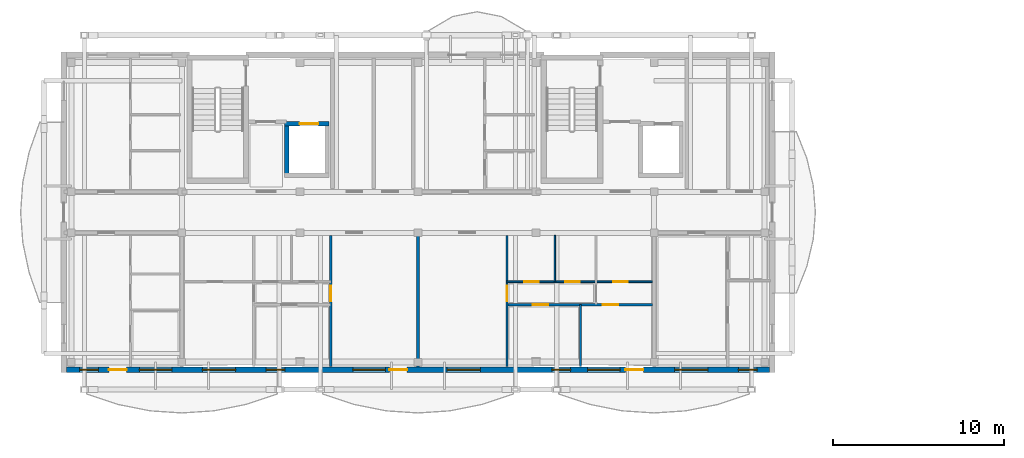
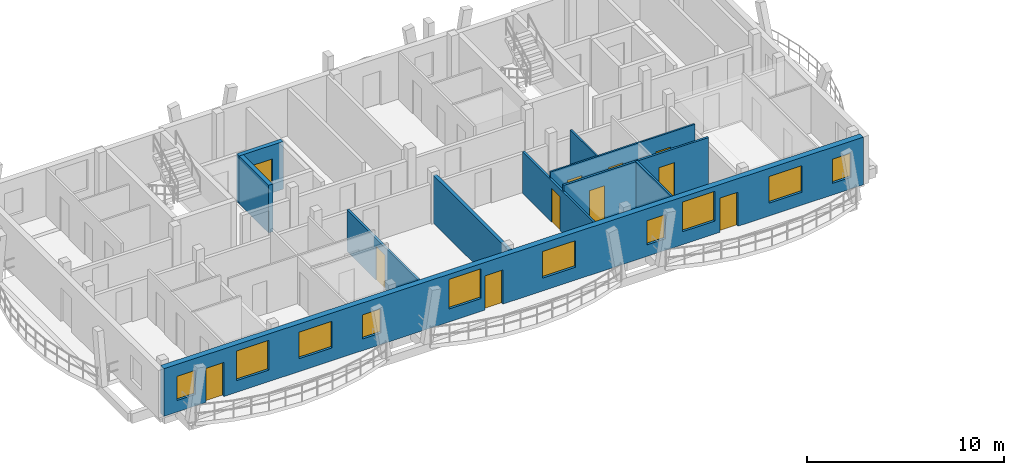
# One storey, part 11 of 29: 11 doors, 10 walls, 10 windows, 21 openings.
"""IFC4 building model written with IfcOpenShell, lengths in metres."""

from ifc_helpers import new_model, si_unit, direction, frame, frame_2d, origin, origin_with_axes, place, context, subcontext, project, spatial, rectangle, extrude, material, layer, layer_set, type_object, element, fill, save


model = new_model("IFC4")

# Units and contexts
model_context = context("Model", 3, precision=1e-05, world=origin(), true_north=direction((0.0, 1.0)))
body_context = subcontext(model_context, "Body", "Model", "MODEL_VIEW")
ifc_project = project(units=[si_unit("LENGTHUNIT", "METRE"), si_unit("AREAUNIT", "SQUARE_METRE"), si_unit("VOLUMEUNIT", "CUBIC_METRE"), si_unit("PLANEANGLEUNIT", "RADIAN"), si_unit("MASSUNIT", "GRAM", prefix="KILO")], contexts=[model_context])

# Site, building, storey
site_placement = place(None, origin())
site = spatial("IfcSite", under=ifc_project, at=site_placement, CompositionType="ELEMENT")
building_placement = place(site_placement, origin())
building = spatial("IfcBuilding", under=site, at=building_placement, Name="Zavelmont Quarter", CompositionType="ELEMENT")
storey_placement = place(building_placement, frame((0.0, 0.0, 33.60009765625)))
storey = spatial("IfcBuildingStorey", under=building, at=storey_placement, Name="L10", CompositionType="ELEMENT", Elevation=33.60009765625)

# Wall, openings, doors, windows
ifc_material_1 = material(Name="Natural Belgian limestone", Category="masonry")
ifc_layer_1 = layer(ifc_material_1, 0.340087890625)
ifc_layer_set_1 = layer_set([ifc_layer_1], Name="Natural Belgian limestone")
wall_type_1 = type_object("IfcWallType", Name="EW03", PredefinedType="STANDARD", material=ifc_layer_set_1)
wall_1_placement = place(storey_placement, frame((0.159912109375, 0.0, 0.0), z_axis=(0.0, 0.0, 1.0), x_axis=(1.0, 0.0, 0.0)))
wall_1 = element("IfcWall", 1, at=wall_1_placement, inside=storey, type_object=wall_type_1, Name="L10 exterior limestone wall EW03", PredefinedType="STANDARD", context=body_context, shape_type="SweptSolid", body=[
    extrude(rectangle(XDim=41.080078125, YDim=0.340087890625, at=frame_2d((20.5400390625, 0.0))), origin(), (0.0, 0.0, 1.0), 2.9599609375),
])
opening_1_placement = place(wall_1_placement, frame((2.46533203125, 0.0, 0.0)))
opening_1 = element("IfcOpeningElement", 2, at=opening_1_placement, cuts=wall_1, Name="Opening DR04A", PredefinedType="OPENING", context=body_context, shape_type="SweptSolid", body=[
    extrude(rectangle(XDim=1.050048828125, YDim=2.1201171875, at=frame_2d((0.52490234375, 1.06005859375))), frame((0.0, 0.18212890625, 0.0), z_axis=(0.0, -1.0, 0.0), x_axis=(1.0, 0.0, 0.0)), (0.0, 0.0, 1.0), 0.364013671875),
])
opening_2_placement = place(wall_1_placement, frame((18.860107421875, 0.0, 0.0)))
opening_2 = element("IfcOpeningElement", 3, at=opening_2_placement, cuts=wall_1, Name="Opening DR04A", PredefinedType="OPENING", context=body_context, shape_type="SweptSolid", body=[
    extrude(rectangle(XDim=1.050048828125, YDim=2.1201171875, at=frame_2d((0.52490234375, 1.06005859375))), frame((0.0, 0.18212890625, 0.0), z_axis=(0.0, -1.0, 0.0), x_axis=(1.0, 0.0, 0.0)), (0.0, 0.0, 1.0), 0.364013671875),
])
opening_3_placement = place(wall_1_placement, frame((32.659912109375, 0.0, 0.0)))
opening_3 = element("IfcOpeningElement", 4, at=opening_3_placement, cuts=wall_1, Name="Opening DR04A", PredefinedType="OPENING", context=body_context, shape_type="SweptSolid", body=[
    extrude(rectangle(XDim=1.050048828125, YDim=2.1201171875, at=frame_2d((0.52490234375, 1.06005859375))), frame((0.0, 0.18212890625, 0.0), z_axis=(0.0, -1.0, 0.0), x_axis=(1.0, 0.0, 0.0)), (0.0, 0.0, 1.0), 0.364013671875),
])
opening_4_placement = place(wall_1_placement, frame((0.760009765625, 0.0, 0.719970703125)))
opening_4 = element("IfcOpeningElement", 5, at=opening_4_placement, cuts=wall_1, Name="Opening WN09", PredefinedType="OPENING", context=body_context, shape_type="SweptSolid", body=[
    extrude(rectangle(XDim=1.10009765625, YDim=1.5, at=frame_2d((0.550048828125, 0.75))), frame((0.0, 0.18212890625, 0.0), z_axis=(0.0, -1.0, 0.0), x_axis=(1.0, 0.0, 0.0)), (0.0, 0.0, 1.0), 0.364013671875),
])
opening_5_placement = place(wall_1_placement, frame((4.260009765625, 0.0, 0.719970703125)))
opening_5 = element("IfcOpeningElement", 6, at=opening_5_placement, cuts=wall_1, Name="Opening WN20", PredefinedType="OPENING", context=body_context, shape_type="SweptSolid", body=[
    extrude(rectangle(XDim=1.89990234375, YDim=1.85009765625, at=frame_2d((0.949951171875, 0.925048828125))), frame((0.0, 0.18212890625, 0.0), z_axis=(0.0, -1.0, 0.0), x_axis=(1.0, 0.0, 0.0)), (0.0, 0.0, 1.0), 0.364013671875),
])
opening_6_placement = place(wall_1_placement, frame((7.93505859375, 0.0, 0.800048828125)))
opening_6 = element("IfcOpeningElement", 7, at=opening_6_placement, cuts=wall_1, Name="Opening WN24", PredefinedType="OPENING", context=body_context, shape_type="SweptSolid", body=[
    extrude(rectangle(XDim=1.949951171875, YDim=1.64990234375, at=frame_2d((0.97509765625, 0.824951171875))), frame((0.0, 0.18212890625, 0.0), z_axis=(0.0, -1.0, 0.0), x_axis=(1.0, 0.0, 0.0)), (0.0, 0.0, 1.0), 0.364013671875),
])
opening_7_placement = place(wall_1_placement, frame((11.659912109375, 0.0, 0.719970703125)))
opening_7 = element("IfcOpeningElement", 8, at=opening_7_placement, cuts=wall_1, Name="Opening WN09", PredefinedType="OPENING", context=body_context, shape_type="SweptSolid", body=[
    extrude(rectangle(XDim=1.10009765625, YDim=1.5, at=frame_2d((0.550048828125, 0.75))), frame((0.0, 0.18212890625, 0.0), z_axis=(0.0, -1.0, 0.0), x_axis=(1.0, 0.0, 0.0)), (0.0, 0.0, 1.0), 0.364013671875),
])
opening_8_placement = place(wall_1_placement, frame((16.735107421875, 0.0, 0.800048828125)))
opening_8 = element("IfcOpeningElement", 9, at=opening_8_placement, cuts=wall_1, Name="Opening WN20", PredefinedType="OPENING", context=body_context, shape_type="SweptSolid", body=[
    extrude(rectangle(XDim=1.89990234375, YDim=1.85009765625, at=frame_2d((0.949951171875, 0.925048828125))), frame((0.0, 0.18212890625, 0.0), z_axis=(0.0, -1.0, 0.0), x_axis=(1.0, 0.0, 0.0)), (0.0, 0.0, 1.0), 0.364013671875),
])
opening_9_placement = place(wall_1_placement, frame((22.235107421875, 0.0, 0.800048828125)))
opening_9 = element("IfcOpeningElement", 10, at=opening_9_placement, cuts=wall_1, Name="Opening WN24", PredefinedType="OPENING", context=body_context, shape_type="SweptSolid", body=[
    extrude(rectangle(XDim=1.949951171875, YDim=1.64990234375, at=frame_2d((0.97509765625, 0.824951171875))), frame((0.0, 0.18212890625, 0.0), z_axis=(0.0, -1.0, 0.0), x_axis=(1.0, 0.0, 0.0)), (0.0, 0.0, 1.0), 0.364013671875),
])
opening_10_placement = place(wall_1_placement, frame((28.360107421875, 0.0, 0.719970703125)))
opening_10 = element("IfcOpeningElement", 11, at=opening_10_placement, cuts=wall_1, Name="Opening WN09", PredefinedType="OPENING", context=body_context, shape_type="SweptSolid", body=[
    extrude(rectangle(XDim=1.10009765625, YDim=1.5, at=frame_2d((0.550048828125, 0.75))), frame((0.0, 0.18212890625, 0.0), z_axis=(0.0, -1.0, 0.0), x_axis=(1.0, 0.0, 0.0)), (0.0, 0.0, 1.0), 0.364013671875),
])
opening_11_placement = place(wall_1_placement, frame((30.4599609375, 0.0, 0.800048828125)))
opening_11 = element("IfcOpeningElement", 12, at=opening_11_placement, cuts=wall_1, Name="Opening WN20", PredefinedType="OPENING", context=body_context, shape_type="SweptSolid", body=[
    extrude(rectangle(XDim=1.89990234375, YDim=1.85009765625, at=frame_2d((0.949951171875, 0.925048828125))), frame((0.0, 0.18212890625, 0.0), z_axis=(0.0, -1.0, 0.0), x_axis=(1.0, 0.0, 0.0)), (0.0, 0.0, 1.0), 0.364013671875),
])
opening_12_placement = place(wall_1_placement, frame((35.534912109375, 0.0, 0.800048828125)))
opening_12 = element("IfcOpeningElement", 13, at=opening_12_placement, cuts=wall_1, Name="Opening WN24", PredefinedType="OPENING", context=body_context, shape_type="SweptSolid", body=[
    extrude(rectangle(XDim=1.949951171875, YDim=1.64990234375, at=frame_2d((0.97509765625, 0.824951171875))), frame((0.0, 0.18212890625, 0.0), z_axis=(0.0, -1.0, 0.0), x_axis=(1.0, 0.0, 0.0)), (0.0, 0.0, 1.0), 0.364013671875),
])
opening_13_placement = place(wall_1_placement, frame((39.260009765625, 0.0, 0.719970703125)))
opening_13 = element("IfcOpeningElement", 14, at=opening_13_placement, cuts=wall_1, Name="Opening WN09", PredefinedType="OPENING", context=body_context, shape_type="SweptSolid", body=[
    extrude(rectangle(XDim=1.10009765625, YDim=1.5, at=frame_2d((0.550048828125, 0.75))), frame((0.0, 0.18212890625, 0.0), z_axis=(0.0, -1.0, 0.0), x_axis=(1.0, 0.0, 0.0)), (0.0, 0.0, 1.0), 0.364013671875),
])
ifc_material_2 = material(Name="Thermally broken aluminium and double safety glass", Category="aluminium")
door_type_1 = type_object("IfcDoorType", Name="DR04A", OperationType="NOTDEFINED", PredefinedType="DOOR", material=ifc_material_2)
door_1_placement = place(opening_1_placement, origin_with_axes())
door_1 = element("IfcDoor", 15, at=door_1_placement, inside=storey, type_object=door_type_1, Name="Block A L10 glazed balcony door", OperationType="SINGLE_SWING_RIGHT", OverallHeight=2.1201171875, OverallWidth=1.050048828125, PredefinedType="DOOR", context=body_context, shape_type="SweptSolid", body=[
    extrude(rectangle(XDim=1.050048828125, YDim=2.1201171875, at=frame_2d((0.52490234375, 1.06005859375))), frame((0.0, 0.02490234375, 0.0), z_axis=(0.0, -1.0, 0.0), x_axis=(1.0, 0.0, 0.0)), (0.0, 0.0, 1.0), 0.050048828125),
])
fill(opening_1, door_1)
door_2_placement = place(opening_2_placement, origin_with_axes())
door_2 = element("IfcDoor", 16, at=door_2_placement, inside=storey, type_object=door_type_1, Name="Block A L10 glazed balcony door", OperationType="SINGLE_SWING_RIGHT", OverallHeight=2.1201171875, OverallWidth=1.050048828125, PredefinedType="DOOR", context=body_context, shape_type="SweptSolid", body=[
    extrude(rectangle(XDim=1.050048828125, YDim=2.1201171875, at=frame_2d((0.52490234375, 1.06005859375))), frame((0.0, 0.02490234375, 0.0), z_axis=(0.0, -1.0, 0.0), x_axis=(1.0, 0.0, 0.0)), (0.0, 0.0, 1.0), 0.050048828125),
])
fill(opening_2, door_2)
door_3_placement = place(opening_3_placement, origin_with_axes())
door_3 = element("IfcDoor", 17, at=door_3_placement, inside=storey, type_object=door_type_1, Name="Block A L10 glazed balcony door", OperationType="SINGLE_SWING_RIGHT", OverallHeight=2.1201171875, OverallWidth=1.050048828125, PredefinedType="DOOR", context=body_context, shape_type="SweptSolid", body=[
    extrude(rectangle(XDim=1.050048828125, YDim=2.1201171875, at=frame_2d((0.52490234375, 1.06005859375))), frame((0.0, 0.02490234375, 0.0), z_axis=(0.0, -1.0, 0.0), x_axis=(1.0, 0.0, 0.0)), (0.0, 0.0, 1.0), 0.050048828125),
])
fill(opening_3, door_3)
ifc_material_3 = material(Name="Double low-E insulated glazing in thermally broken aluminium frame", Category="aluminium")
window_type_1 = type_object("IfcWindowType", Name="WN09", PartitioningType="SINGLE_PANEL", PredefinedType="WINDOW", material=ifc_material_3)
window_1_placement = place(opening_4_placement, origin_with_axes())
window_1 = element("IfcWindow", 18, at=window_1_placement, inside=storey, type_object=window_type_1, Name="L10 window WN09", OverallHeight=1.5, OverallWidth=1.10009765625, PartitioningType="SINGLE_PANEL", PredefinedType="WINDOW", context=body_context, shape_type="SweptSolid", body=[
    extrude(rectangle(XDim=1.10009765625, YDim=1.5, at=frame_2d((0.550048828125, 0.75))), frame((0.0, 0.030029296875, 0.0), z_axis=(0.0, -1.0, 0.0), x_axis=(1.0, 0.0, 0.0)), (0.0, 0.0, 1.0), 0.06005859375),
])
fill(opening_4, window_1)
window_2_placement = place(opening_7_placement, origin_with_axes())
window_2 = element("IfcWindow", 19, at=window_2_placement, inside=storey, type_object=window_type_1, Name="L10 window WN09", OverallHeight=1.5, OverallWidth=1.10009765625, PartitioningType="SINGLE_PANEL", PredefinedType="WINDOW", context=body_context, shape_type="SweptSolid", body=[
    extrude(rectangle(XDim=1.10009765625, YDim=1.5, at=frame_2d((0.550048828125, 0.75))), frame((0.0, 0.030029296875, 0.0), z_axis=(0.0, -1.0, 0.0), x_axis=(1.0, 0.0, 0.0)), (0.0, 0.0, 1.0), 0.06005859375),
])
fill(opening_7, window_2)
window_3_placement = place(opening_10_placement, origin_with_axes())
window_3 = element("IfcWindow", 20, at=window_3_placement, inside=storey, type_object=window_type_1, Name="L10 window WN09", OverallHeight=1.5, OverallWidth=1.10009765625, PartitioningType="SINGLE_PANEL", PredefinedType="WINDOW", context=body_context, shape_type="SweptSolid", body=[
    extrude(rectangle(XDim=1.10009765625, YDim=1.5, at=frame_2d((0.550048828125, 0.75))), frame((0.0, 0.030029296875, 0.0), z_axis=(0.0, -1.0, 0.0), x_axis=(1.0, 0.0, 0.0)), (0.0, 0.0, 1.0), 0.06005859375),
])
fill(opening_10, window_3)
window_4_placement = place(opening_13_placement, origin_with_axes())
window_4 = element("IfcWindow", 21, at=window_4_placement, inside=storey, type_object=window_type_1, Name="L10 window WN09", OverallHeight=1.5, OverallWidth=1.10009765625, PartitioningType="SINGLE_PANEL", PredefinedType="WINDOW", context=body_context, shape_type="SweptSolid", body=[
    extrude(rectangle(XDim=1.10009765625, YDim=1.5, at=frame_2d((0.550048828125, 0.75))), frame((0.0, 0.030029296875, 0.0), z_axis=(0.0, -1.0, 0.0), x_axis=(1.0, 0.0, 0.0)), (0.0, 0.0, 1.0), 0.06005859375),
])
fill(opening_13, window_4)
window_type_2 = type_object("IfcWindowType", Name="WN20", PartitioningType="SINGLE_PANEL", PredefinedType="WINDOW", material=ifc_material_3)
window_5_placement = place(opening_5_placement, origin_with_axes())
window_5 = element("IfcWindow", 22, at=window_5_placement, inside=storey, type_object=window_type_2, Name="L10 window WN20", OverallHeight=1.85009765625, OverallWidth=1.89990234375, PartitioningType="SINGLE_PANEL", PredefinedType="WINDOW", context=body_context, shape_type="SweptSolid", body=[
    extrude(rectangle(XDim=1.89990234375, YDim=1.85009765625, at=frame_2d((0.949951171875, 0.925048828125))), frame((0.0, 0.030029296875, 0.0), z_axis=(0.0, -1.0, 0.0), x_axis=(1.0, 0.0, 0.0)), (0.0, 0.0, 1.0), 0.06005859375),
])
fill(opening_5, window_5)
window_6_placement = place(opening_8_placement, origin_with_axes())
window_6 = element("IfcWindow", 23, at=window_6_placement, inside=storey, type_object=window_type_2, Name="L10 window WN20", OverallHeight=1.85009765625, OverallWidth=1.89990234375, PartitioningType="SINGLE_PANEL", PredefinedType="WINDOW", context=body_context, shape_type="SweptSolid", body=[
    extrude(rectangle(XDim=1.89990234375, YDim=1.85009765625, at=frame_2d((0.949951171875, 0.925048828125))), frame((0.0, 0.030029296875, 0.0), z_axis=(0.0, -1.0, 0.0), x_axis=(1.0, 0.0, 0.0)), (0.0, 0.0, 1.0), 0.06005859375),
])
fill(opening_8, window_6)
window_7_placement = place(opening_11_placement, origin_with_axes())
window_7 = element("IfcWindow", 24, at=window_7_placement, inside=storey, type_object=window_type_2, Name="L10 window WN20", OverallHeight=1.85009765625, OverallWidth=1.89990234375, PartitioningType="SINGLE_PANEL", PredefinedType="WINDOW", context=body_context, shape_type="SweptSolid", body=[
    extrude(rectangle(XDim=1.89990234375, YDim=1.85009765625, at=frame_2d((0.949951171875, 0.925048828125))), frame((0.0, 0.030029296875, 0.0), z_axis=(0.0, -1.0, 0.0), x_axis=(1.0, 0.0, 0.0)), (0.0, 0.0, 1.0), 0.06005859375),
])
fill(opening_11, window_7)
window_type_3 = type_object("IfcWindowType", Name="WN24", PartitioningType="SINGLE_PANEL", PredefinedType="WINDOW", material=ifc_material_3)
window_8_placement = place(opening_6_placement, origin_with_axes())
window_8 = element("IfcWindow", 25, at=window_8_placement, inside=storey, type_object=window_type_3, Name="L10 window WN24", OverallHeight=1.64990234375, OverallWidth=1.949951171875, PartitioningType="SINGLE_PANEL", PredefinedType="WINDOW", context=body_context, shape_type="SweptSolid", body=[
    extrude(rectangle(XDim=1.949951171875, YDim=1.64990234375, at=frame_2d((0.97509765625, 0.824951171875))), frame((0.0, 0.030029296875, 0.0), z_axis=(0.0, -1.0, 0.0), x_axis=(1.0, 0.0, 0.0)), (0.0, 0.0, 1.0), 0.06005859375),
])
fill(opening_6, window_8)
window_9_placement = place(opening_9_placement, origin_with_axes())
window_9 = element("IfcWindow", 26, at=window_9_placement, inside=storey, type_object=window_type_3, Name="L10 window WN24", OverallHeight=1.64990234375, OverallWidth=1.949951171875, PartitioningType="SINGLE_PANEL", PredefinedType="WINDOW", context=body_context, shape_type="SweptSolid", body=[
    extrude(rectangle(XDim=1.949951171875, YDim=1.64990234375, at=frame_2d((0.97509765625, 0.824951171875))), frame((0.0, 0.030029296875, 0.0), z_axis=(0.0, -1.0, 0.0), x_axis=(1.0, 0.0, 0.0)), (0.0, 0.0, 1.0), 0.06005859375),
])
fill(opening_9, window_9)
window_10_placement = place(opening_12_placement, origin_with_axes())
window_10 = element("IfcWindow", 27, at=window_10_placement, inside=storey, type_object=window_type_3, Name="L10 window WN24", OverallHeight=1.64990234375, OverallWidth=1.949951171875, PartitioningType="SINGLE_PANEL", PredefinedType="WINDOW", context=body_context, shape_type="SweptSolid", body=[
    extrude(rectangle(XDim=1.949951171875, YDim=1.64990234375, at=frame_2d((0.97509765625, 0.824951171875))), frame((0.0, 0.030029296875, 0.0), z_axis=(0.0, -1.0, 0.0), x_axis=(1.0, 0.0, 0.0)), (0.0, 0.0, 1.0), 0.06005859375),
])
fill(opening_12, window_10)

# Wall
ifc_material_4 = material(Name="Calcium-silicate blockwork and acoustic plaster", Category="masonry")
ifc_layer_2 = layer(ifc_material_4, 0.199951171875)
ifc_layer_set_2 = layer_set([ifc_layer_2], Name="Calcium-silicate blockwork and acoustic plaster")
wall_type_2 = type_object("IfcWallType", Name="IW01", PredefinedType="PARTITIONING", material=ifc_layer_set_2)
wall_2_placement = place(storey_placement, frame((20.699951171875, 7.85009765625, 0.0), z_axis=(0.0, 0.0, 1.0), x_axis=(0.0, -1.0, 0.0)))
element("IfcWall", 28, at=wall_2_placement, inside=storey, type_object=wall_type_2, Name="L10 Inter-dwelling compartment wall IW01", PredefinedType="PARTITIONING", context=body_context, shape_type="SweptSolid", body=[
    extrude(rectangle(XDim=7.7001953125, YDim=0.199951171875, at=frame_2d((3.85009765625, 0.0))), origin(), (0.0, 0.0, 1.0), 2.9599609375),
])

# Wall, opening, door
ifc_material_5 = material(Name="Double gypsum board on acoustic steel stud", Category="steel")
ifc_layer_3 = layer(ifc_material_5, 0.125)
ifc_layer_set_3 = layer_set([ifc_layer_3], Name="Double gypsum board on acoustic steel stud")
wall_type_3 = type_object("IfcWallType", Name="IW03", PredefinedType="PARTITIONING", material=ifc_layer_set_3)
wall_3_placement = place(storey_placement, frame((15.60009765625, 7.85009765625, 0.0), z_axis=(0.0, 0.0, 1.0), x_axis=(0.0, -1.0, 0.0)))
wall_3 = element("IfcWall", 29, at=wall_3_placement, inside=storey, type_object=wall_type_3, Name="L10 Partition IW03", PredefinedType="PARTITIONING", context=body_context, shape_type="SweptSolid", body=[
    extrude(rectangle(XDim=7.650146484375, YDim=0.125, at=frame_2d((3.8251953125, 0.0))), origin(), (0.0, 0.0, 1.0), 2.58984375),
])
opening_14_placement = place(wall_3_placement, frame((2.949951171875, 0.0, 0.0)))
opening_14 = element("IfcOpeningElement", 30, at=opening_14_placement, cuts=wall_3, Name="Opening DR05", PredefinedType="OPENING", context=body_context, shape_type="SweptSolid", body=[
    extrude(rectangle(XDim=0.89990234375, YDim=2.10009765625, at=frame_2d((0.449951171875, 1.050048828125))), frame((0.0, 0.074462890625, 0.0), z_axis=(0.0, -1.0, 0.0), x_axis=(1.0, 0.0, 0.0)), (0.0, 0.0, 1.0), 0.14892578125),
])
ifc_material_6 = material(Name="Engineered oak flush interior door")
door_type_2 = type_object("IfcDoorType", Name="DR05", OperationType="NOTDEFINED", PredefinedType="DOOR", material=ifc_material_6)
door_4_placement = place(opening_14_placement, origin_with_axes())
door_4 = element("IfcDoor", 31, at=door_4_placement, inside=storey, type_object=door_type_2, Name="L10 door DR05", OperationType="SINGLE_SWING_LEFT", OverallHeight=2.10009765625, OverallWidth=0.89990234375, PredefinedType="DOOR", context=body_context, shape_type="SweptSolid", body=[
    extrude(rectangle(XDim=0.89990234375, YDim=2.10009765625, at=frame_2d((0.449951171875, 1.050048828125))), frame((0.0, 0.02490234375, 0.0), z_axis=(0.0, -1.0, 0.0), x_axis=(1.0, 0.0, 0.0)), (0.0, 0.0, 1.0), 0.050048828125),
])
fill(opening_14, door_4)

wall_4_placement = place(storey_placement, frame((25.89990234375, 7.85009765625, 0.0), z_axis=(0.0, 0.0, 1.0), x_axis=(0.0, -1.0, 0.0)))
wall_4 = element("IfcWall", 32, at=wall_4_placement, inside=storey, type_object=wall_type_3, Name="L10 Partition IW03", PredefinedType="PARTITIONING", context=body_context, shape_type="SweptSolid", body=[
    extrude(rectangle(XDim=7.650146484375, YDim=0.125, at=frame_2d((3.8251953125, 0.0))), origin(), (0.0, 0.0, 1.0), 2.58984375),
])
opening_15_placement = place(wall_4_placement, frame((2.949951171875, 0.0, 0.0)))
opening_15 = element("IfcOpeningElement", 33, at=opening_15_placement, cuts=wall_4, Name="Opening DR05", PredefinedType="OPENING", context=body_context, shape_type="SweptSolid", body=[
    extrude(rectangle(XDim=0.89990234375, YDim=2.10009765625, at=frame_2d((0.449951171875, 1.050048828125))), frame((0.0, 0.074462890625, 0.0), z_axis=(0.0, -1.0, 0.0), x_axis=(1.0, 0.0, 0.0)), (0.0, 0.0, 1.0), 0.14892578125),
])
door_5_placement = place(opening_15_placement, frame((0.89990234375, 0.0, 0.0), z_axis=(0.0, 0.0, 1.0), x_axis=(-1.0, 0.0, 0.0)))
door_5 = element("IfcDoor", 34, at=door_5_placement, inside=storey, type_object=door_type_2, Name="L10 door DR05", OperationType="SINGLE_SWING_LEFT", OverallHeight=2.10009765625, OverallWidth=0.89990234375, PredefinedType="DOOR", context=body_context, shape_type="SweptSolid", body=[
    extrude(rectangle(XDim=0.89990234375, YDim=2.10009765625, at=frame_2d((0.449951171875, 1.050048828125))), frame((0.0, 0.02490234375, 0.0), z_axis=(0.0, -1.0, 0.0), x_axis=(1.0, 0.0, 0.0)), (0.0, 0.0, 1.0), 0.050048828125),
])
fill(opening_15, door_5)

# Wall
wall_5_placement = place(storey_placement, frame((30.199951171875, 3.800048828125, 0.0), z_axis=(0.0, 0.0, 1.0), x_axis=(0.0, -1.0, 0.0)))
element("IfcWall", 35, at=wall_5_placement, inside=storey, type_object=wall_type_3, Name="L10 Partition IW03", PredefinedType="PARTITIONING", context=body_context, shape_type="SweptSolid", body=[
    extrude(rectangle(XDim=3.60009765625, YDim=0.125, at=frame_2d((1.800048828125, 0.0))), origin(), (0.0, 0.0, 1.0), 2.9599609375),
])

# Wall, openings, doors
wall_6_placement = place(storey_placement, frame((25.89990234375, 3.800048828125, 0.0), z_axis=(0.0, 0.0, 1.0), x_axis=(1.0, 0.0, 0.0)))
wall_6 = element("IfcWall", 36, at=wall_6_placement, inside=storey, type_object=wall_type_3, Name="L10 Partition IW03", PredefinedType="PARTITIONING", context=body_context, shape_type="SweptSolid", body=[
    extrude(rectangle(XDim=8.5, YDim=0.125, at=frame_2d((4.25, 0.0))), origin(), (0.0, 0.0, 1.0), 2.9599609375),
])
opening_16_placement = place(wall_6_placement, frame((1.5, 0.0, 0.0)))
opening_16 = element("IfcOpeningElement", 37, at=opening_16_placement, cuts=wall_6, Name="Opening DR05", PredefinedType="OPENING", context=body_context, shape_type="SweptSolid", body=[
    extrude(rectangle(XDim=0.89990234375, YDim=2.10009765625, at=frame_2d((0.449951171875, 1.050048828125))), frame((0.0, 0.074462890625, 0.0), z_axis=(0.0, -1.0, 0.0), x_axis=(1.0, 0.0, 0.0)), (0.0, 0.0, 1.0), 0.14892578125),
])
opening_17_placement = place(wall_6_placement, frame((5.60009765625, 0.0, 0.0)))
opening_17 = element("IfcOpeningElement", 38, at=opening_17_placement, cuts=wall_6, Name="Opening DR05", PredefinedType="OPENING", context=body_context, shape_type="SweptSolid", body=[
    extrude(rectangle(XDim=0.89990234375, YDim=2.10009765625, at=frame_2d((0.449951171875, 1.050048828125))), frame((0.0, 0.074462890625, 0.0), z_axis=(0.0, -1.0, 0.0), x_axis=(1.0, 0.0, 0.0)), (0.0, 0.0, 1.0), 0.14892578125),
])
door_6_placement = place(opening_16_placement, origin_with_axes())
door_6 = element("IfcDoor", 39, at=door_6_placement, inside=storey, type_object=door_type_2, Name="L10 door DR05", OperationType="SINGLE_SWING_RIGHT", OverallHeight=2.10009765625, OverallWidth=0.89990234375, PredefinedType="DOOR", context=body_context, shape_type="SweptSolid", body=[
    extrude(rectangle(XDim=0.89990234375, YDim=2.10009765625, at=frame_2d((0.449951171875, 1.050048828125))), frame((0.0, 0.02490234375, 0.0), z_axis=(0.0, -1.0, 0.0), x_axis=(1.0, 0.0, 0.0)), (0.0, 0.0, 1.0), 0.050048828125),
])
fill(opening_16, door_6)
door_7_placement = place(opening_17_placement, frame((0.89990234375, 0.0, 0.0), z_axis=(0.0, 0.0, 1.0), x_axis=(-1.0, 0.0, 0.0)))
door_7 = element("IfcDoor", 40, at=door_7_placement, inside=storey, type_object=door_type_2, Name="L10 door DR05", OperationType="SINGLE_SWING_LEFT", OverallHeight=2.10009765625, OverallWidth=0.89990234375, PredefinedType="DOOR", context=body_context, shape_type="SweptSolid", body=[
    extrude(rectangle(XDim=0.89990234375, YDim=2.10009765625, at=frame_2d((0.449951171875, 1.050048828125))), frame((0.0, 0.02490234375, 0.0), z_axis=(0.0, -1.0, 0.0), x_axis=(1.0, 0.0, 0.0)), (0.0, 0.0, 1.0), 0.050048828125),
])
fill(opening_17, door_7)

# Wall
ifc_material_7 = material(Name="Moisture-resistant gypsum board on steel stud", Category="steel")
ifc_layer_4 = layer(ifc_material_7, 0.10009765625)
ifc_layer_set_4 = layer_set([ifc_layer_4], Name="Moisture-resistant gypsum board on steel stud")
wall_type_4 = type_object("IfcWallType", Name="IW04", PredefinedType="PARTITIONING", material=ifc_layer_set_4)
wall_7_placement = place(storey_placement, frame((28.699951171875, 7.85009765625, 0.0), z_axis=(0.0, 0.0, 1.0), x_axis=(0.0, -1.0, 0.0)))
element("IfcWall", 41, at=wall_7_placement, inside=storey, type_object=wall_type_4, Name="L10 Partition IW04", PredefinedType="PARTITIONING", context=body_context, shape_type="SweptSolid", body=[
    extrude(rectangle(XDim=2.7001953125, YDim=0.10009765625, at=frame_2d((1.35009765625, 0.0))), origin(), (0.0, 0.0, 1.0), 2.9599609375),
])

# Wall, openings, doors
wall_8_placement = place(storey_placement, frame((25.89990234375, 5.14990234375, 0.0), z_axis=(0.0, 0.0, 1.0), x_axis=(1.0, 0.0, 0.0)))
wall_8 = element("IfcWall", 42, at=wall_8_placement, inside=storey, type_object=wall_type_4, Name="L10 Partition IW04", PredefinedType="PARTITIONING", context=body_context, shape_type="SweptSolid", body=[
    extrude(rectangle(XDim=8.5, YDim=0.10009765625, at=frame_2d((4.25, 0.0))), origin(), (0.0, 0.0, 1.0), 2.9599609375),
])
opening_18_placement = place(wall_8_placement, frame((1.0, 0.0, 0.0)))
opening_18 = element("IfcOpeningElement", 43, at=opening_18_placement, cuts=wall_8, Name="Opening DR16", PredefinedType="OPENING", context=body_context, shape_type="SweptSolid", body=[
    extrude(rectangle(XDim=0.85009765625, YDim=2.10009765625, at=frame_2d((0.425048828125, 1.050048828125))), frame((0.0, 0.06201171875, 0.0), z_axis=(0.0, -1.0, 0.0), x_axis=(1.0, 0.0, 0.0)), (0.0, 0.0, 1.0), 0.1240234375),
])
opening_19_placement = place(wall_8_placement, frame((3.39990234375, 0.0, 0.0)))
opening_19 = element("IfcOpeningElement", 44, at=opening_19_placement, cuts=wall_8, Name="Opening DR06", PredefinedType="OPENING", context=body_context, shape_type="SweptSolid", body=[
    extrude(rectangle(XDim=0.85009765625, YDim=2.050048828125, at=frame_2d((0.425048828125, 1.02490234375))), frame((0.0, 0.06201171875, 0.0), z_axis=(0.0, -1.0, 0.0), x_axis=(1.0, 0.0, 0.0)), (0.0, 0.0, 1.0), 0.1240234375),
])
opening_20_placement = place(wall_8_placement, frame((6.199951171875, 0.0, 0.0)))
opening_20 = element("IfcOpeningElement", 45, at=opening_20_placement, cuts=wall_8, Name="Opening DR06", PredefinedType="OPENING", context=body_context, shape_type="SweptSolid", body=[
    extrude(rectangle(XDim=0.85009765625, YDim=2.050048828125, at=frame_2d((0.425048828125, 1.02490234375))), frame((0.0, 0.06201171875, 0.0), z_axis=(0.0, -1.0, 0.0), x_axis=(1.0, 0.0, 0.0)), (0.0, 0.0, 1.0), 0.1240234375),
])
ifc_material_8 = material(Name="Moisture-resistant painted wet-room door")
door_type_3 = type_object("IfcDoorType", Name="DR06", OperationType="NOTDEFINED", PredefinedType="DOOR", material=ifc_material_8)
door_8_placement = place(opening_19_placement, origin_with_axes())
door_8 = element("IfcDoor", 46, at=door_8_placement, inside=storey, type_object=door_type_3, Name="L10 door DR06", OperationType="SINGLE_SWING_RIGHT", OverallHeight=2.050048828125, OverallWidth=0.85009765625, PredefinedType="DOOR", context=body_context, shape_type="SweptSolid", body=[
    extrude(rectangle(XDim=0.85009765625, YDim=2.050048828125, at=frame_2d((0.425048828125, 1.02490234375))), frame((0.0, 0.02490234375, 0.0), z_axis=(0.0, -1.0, 0.0), x_axis=(1.0, 0.0, 0.0)), (0.0, 0.0, 1.0), 0.050048828125),
])
fill(opening_19, door_8)
door_9_placement = place(opening_20_placement, frame((0.85009765625, 0.0, 0.0), z_axis=(0.0, 0.0, 1.0), x_axis=(-1.0, 0.0, 0.0)))
door_9 = element("IfcDoor", 47, at=door_9_placement, inside=storey, type_object=door_type_3, Name="L10 door DR06", OperationType="SINGLE_SWING_LEFT", OverallHeight=2.050048828125, OverallWidth=0.85009765625, PredefinedType="DOOR", context=body_context, shape_type="SweptSolid", body=[
    extrude(rectangle(XDim=0.85009765625, YDim=2.050048828125, at=frame_2d((0.425048828125, 1.02490234375))), frame((0.0, 0.02490234375, 0.0), z_axis=(0.0, -1.0, 0.0), x_axis=(1.0, 0.0, 0.0)), (0.0, 0.0, 1.0), 0.050048828125),
])
fill(opening_20, door_9)
door_type_4 = type_object("IfcDoorType", Name="DR16", OperationType="NOTDEFINED", PredefinedType="DOOR", material=ifc_material_6)
door_10_placement = place(opening_18_placement, frame((0.85009765625, 0.0, 0.0), z_axis=(0.0, 0.0, 1.0), x_axis=(-1.0, 0.0, 0.0)))
door_10 = element("IfcDoor", 48, at=door_10_placement, inside=storey, type_object=door_type_4, Name="L10 door DR16", OperationType="SINGLE_SWING_LEFT", OverallHeight=2.10009765625, OverallWidth=0.85009765625, PredefinedType="DOOR", context=body_context, shape_type="SweptSolid", body=[
    extrude(rectangle(XDim=0.85009765625, YDim=2.10009765625, at=frame_2d((0.425048828125, 1.050048828125))), frame((0.0, 0.02490234375, 0.0), z_axis=(0.0, -1.0, 0.0), x_axis=(1.0, 0.0, 0.0)), (0.0, 0.0, 1.0), 0.050048828125),
])
fill(opening_18, door_10)

# Wall, opening, door
ifc_material_9 = material(Name="Concrete C40/50", Category="concrete")
ifc_layer_5 = layer(ifc_material_9, 0.25)
ifc_layer_set_5 = layer_set([ifc_layer_5], Name="Concrete C40/50")
wall_type_5 = type_object("IfcWallType", Name="SW02", PredefinedType="SHEAR", material=ifc_layer_set_5)
wall_9_placement = place(storey_placement, frame((12.89990234375, 14.375, 0.0), z_axis=(0.0, 0.0, 1.0), x_axis=(1.0, 0.0, 0.0)))
wall_9 = element("IfcWall", 49, at=wall_9_placement, inside=storey, type_object=wall_type_5, Name="L10 Lift FL01 landing shaft wall SW02", PredefinedType="SHEAR", context=body_context, shape_type="SweptSolid", body=[
    extrude(rectangle(XDim=2.60009765625, YDim=0.25, at=frame_2d((1.300048828125, 0.0))), origin(), (0.0, 0.0, 1.0), 2.9599609375),
])
opening_21_placement = place(wall_9_placement, frame((0.875, 0.0, 0.0)))
opening_21 = element("IfcOpeningElement", 50, at=opening_21_placement, cuts=wall_9, Name="Opening LD02", PredefinedType="OPENING", context=body_context, shape_type="SweptSolid", body=[
    extrude(rectangle(XDim=1.10009765625, YDim=2.10009765625, at=frame_2d((0.550048828125, 1.050048828125))), frame((0.0, 0.136962890625, 0.0), z_axis=(0.0, -1.0, 0.0), x_axis=(1.0, 0.0, 0.0)), (0.0, 0.0, 1.0), 0.27392578125),
])
ifc_material_10 = material(Name="Brushed stainless-steel firefighting lift landing door", Category="steel")
door_type_5 = type_object("IfcDoorType", Name="LD02", OperationType="SLIDING_TO_LEFT", PredefinedType="DOOR", material=ifc_material_10)
door_11_placement = place(opening_21_placement, origin_with_axes())
door_11 = element("IfcDoor", 51, at=door_11_placement, inside=storey, type_object=door_type_5, Name="Lift FL01 sliding landing door", OperationType="SLIDING_TO_LEFT", OverallHeight=2.10009765625, OverallWidth=1.10009765625, PredefinedType="DOOR", context=body_context, shape_type="SweptSolid", body=[
    extrude(rectangle(XDim=1.10009765625, YDim=2.10009765625, at=frame_2d((0.550048828125, 1.050048828125))), frame((0.0, 0.02490234375, 0.0), z_axis=(0.0, -1.0, 0.0), x_axis=(1.0, 0.0, 0.0)), (0.0, 0.0, 1.0), 0.050048828125),
])
fill(opening_21, door_11)

# Wall
wall_10_placement = place(storey_placement, frame((13.02490234375, 11.25, 0.0), z_axis=(0.0, 0.0, 1.0), x_axis=(0.0, 1.0, 0.0)))
element("IfcWall", 52, at=wall_10_placement, inside=storey, type_object=wall_type_5, Name="L10 Lift FL01 west shaft wall SW02", PredefinedType="SHEAR", context=body_context, shape_type="SweptSolid", body=[
    extrude(rectangle(XDim=3.25, YDim=0.25, at=frame_2d((1.625, 0.0))), origin(), (0.0, 0.0, 1.0), 2.9599609375),
])

save(model, "model.ifc")
